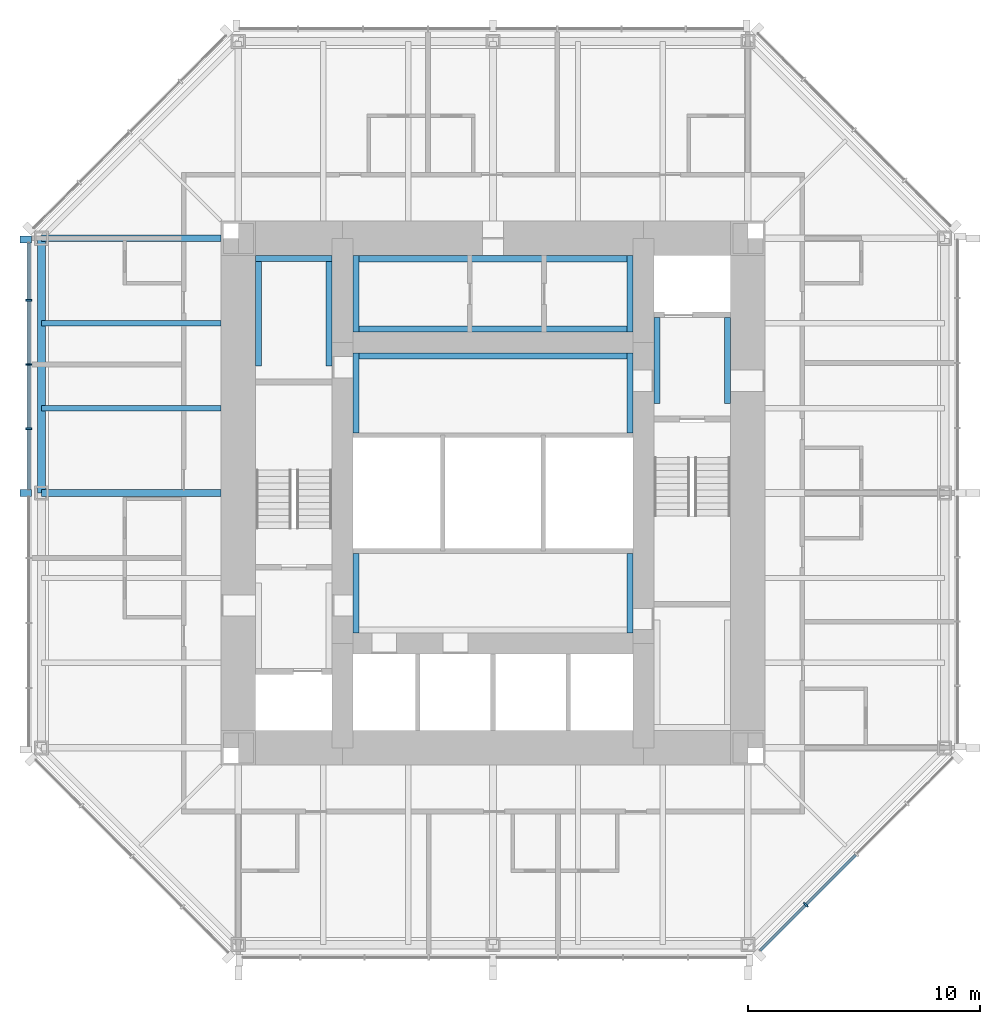
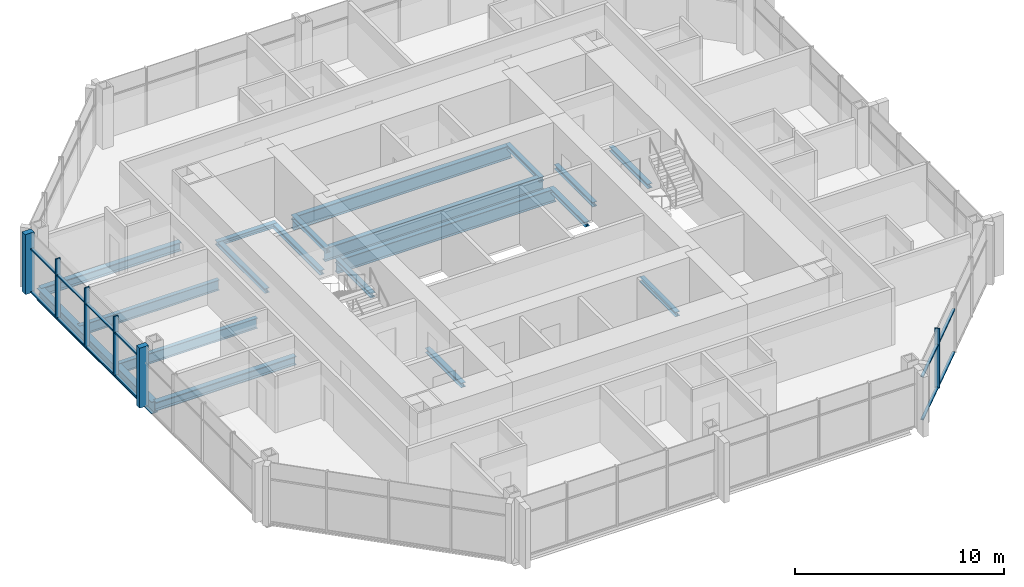
# One storey, part 3 of 11: 19 beams, 18 members, 2 elements without a shape of their own.
"""IFC4 building model written with IfcOpenShell, lengths in metres."""

from ifc_helpers import new_model, si_unit, direction, frame, origin, origin_2d, place, context, subcontext, project, spatial, rectangle, i_section, extrude, material, material_profile, profile_set, type_object, element, aggregate, save


model = new_model("IFC4")

# Units and contexts
model_context = context("Model", 3, precision=1e-05, world=origin(), true_north=direction((0.0, 1.0)))
body_context = subcontext(model_context, "Body", "Model", "MODEL_VIEW")
ifc_project = project(units=[si_unit("LENGTHUNIT", "METRE"), si_unit("AREAUNIT", "SQUARE_METRE"), si_unit("VOLUMEUNIT", "CUBIC_METRE"), si_unit("PLANEANGLEUNIT", "RADIAN"), si_unit("MASSUNIT", "GRAM", prefix="KILO")], contexts=[model_context])

# Site, building, storey
site_placement = place(None, origin())
site = spatial("IfcSite", under=ifc_project, at=site_placement, CompositionType="ELEMENT")
building_placement = place(site_placement, origin())
building = spatial("IfcBuilding", under=site, at=building_placement, Name="Trevanion Tower", CompositionType="ELEMENT")
storey_placement = place(building_placement, frame((0.0, 0.0, 211.699951171875)))
storey = spatial("IfcBuildingStorey", under=building, at=storey_placement, Name="L50", CompositionType="ELEMENT", Elevation=211.699951171875)

# Beams
ifc_material_1 = material(Name="Steel ASTM A992 Grade 50", Category="steel")
ifc_material_profile_1 = material_profile(ifc_material_1, i_section(OverallWidth=0.228271484375, OverallDepth=0.607177734375, WebThickness=0.01123046875, FlangeThickness=0.017333984375, at=origin_2d()), Name="W24X76")
ifc_profile_set_1 = profile_set([ifc_material_profile_1], Name="Steel ASTM A992 Grade 50")
beam_type_1 = type_object("IfcBeamType", Name="B11 W24X76", PredefinedType="BEAM", material=ifc_profile_set_1)
for number, where, z_axis, x_axis, name in (
    (1, (-11.75, 7.333251953125, -0.493408203125), (-1.0, 0.0, 0.0), (0.0, -1.0, 0.0), "B11 L50"),
    (2, (-11.75, 3.666748046875, -0.493408203125), (-1.0, 0.0, 0.0), (0.0, -1.0, 0.0), "B11 L50"),
):
    element("IfcBeam", number, at=place(storey_placement, frame(where, z_axis=z_axis, x_axis=x_axis)), inside=storey, type_object=beam_type_1, Name=name, PredefinedType="BEAM", context=body_context, shape_type="SweptSolid", body=[
        extrude(i_section(OverallWidth=0.228271484375, OverallDepth=0.607177734375, WebThickness=0.01123046875, FlangeThickness=0.017333984375, at=origin_2d()), origin(), (0.0, 0.0, 1.0), 7.75),
    ])

# Curtain wall, members
ifc_material_2 = material(Name="Aluminium and glass", Category="aluminium")
curtain_wall_type = type_object("IfcCurtainWallType", Name="CW3 curtain wall", PredefinedType="USERDEFINED", material=ifc_material_2)
curtain_wall_1_placement = place(storey_placement, origin())
curtain_wall_1 = element("IfcCurtainWall", 3, at=curtain_wall_1_placement, inside=storey, type_object=curtain_wall_type, Name="CW3 L50 4", ObjectType="UNITISED CURTAIN WALL", PredefinedType="USERDEFINED")
ifc_material_3 = material(Name="Aluminium extrusion, anodised bronze", Category="aluminium")
ifc_material_profile_2 = material_profile(ifc_material_3, rectangle(XDim=0.074951171875, YDim=0.25, at=origin_2d()), Name="CW3 mullion")
ifc_profile_set_2 = profile_set([ifc_material_profile_2], Name="Aluminium extrusion, anodised bronze")
member_type_1 = type_object("IfcMemberType", Name="CW3 mullion", PredefinedType="MULLION", material=ifc_profile_set_2)
member_1_placement = place(storey_placement, frame((-20.050048828125, 8.323486328125, -0.18994140625), z_axis=(0.0, 0.0, 1.0), x_axis=(0.0, -1.0, 0.0)))
member_1 = element("IfcMember", 4, at=member_1_placement, type_object=member_type_1, Name="CW3 mullion 2", PredefinedType="MULLION", context=body_context, shape_type="SweptSolid", body=[
    extrude(rectangle(XDim=0.074951171875, YDim=0.25, at=origin_2d()), origin(), (0.0, 0.0, 1.0), 3.5),
])
member_2_placement = place(storey_placement, frame((-20.050048828125, 5.548828125, -0.18994140625), z_axis=(0.0, 0.0, 1.0), x_axis=(0.0, -1.0, 0.0)))
member_2 = element("IfcMember", 5, at=member_2_placement, type_object=member_type_1, Name="CW3 mullion 3", PredefinedType="MULLION", context=body_context, shape_type="SweptSolid", body=[
    extrude(rectangle(XDim=0.074951171875, YDim=0.25, at=origin_2d()), origin(), (0.0, 0.0, 1.0), 3.5),
])
member_3_placement = place(storey_placement, frame((-20.050048828125, 2.7744140625, -0.18994140625), z_axis=(0.0, 0.0, 1.0), x_axis=(0.0, -1.0, 0.0)))
member_3 = element("IfcMember", 6, at=member_3_placement, type_object=member_type_1, Name="CW3 mullion 4", PredefinedType="MULLION", context=body_context, shape_type="SweptSolid", body=[
    extrude(rectangle(XDim=0.074951171875, YDim=0.25, at=origin_2d()), origin(), (0.0, 0.0, 1.0), 3.5),
])

# Curtain wall, member
curtain_wall_2_placement = place(storey_placement, origin())
curtain_wall_2 = element("IfcCurtainWall", 7, at=curtain_wall_2_placement, inside=storey, type_object=curtain_wall_type, Name="CW3 L50 7", ObjectType="UNITISED CURTAIN WALL", PredefinedType="USERDEFINED")
member_4_placement = place(storey_placement, frame((13.502197265625, -17.775390625, -0.18994140625), z_axis=(0.0, 0.0, 1.0), x_axis=(0.707106781187, 0.707106781187, 0.0)))
member_4 = element("IfcMember", 8, at=member_4_placement, type_object=member_type_1, Name="CW3 mullion 2", PredefinedType="MULLION", context=body_context, shape_type="SweptSolid", body=[
    extrude(rectangle(XDim=0.074951171875, YDim=0.25, at=origin_2d()), origin(), (0.0, 0.0, 1.0), 3.5),
])

# Member
ifc_material_4 = material(Name="Aluminium extrusion, anodised bronze", Category="aluminium")
ifc_material_profile_3 = material_profile(ifc_material_4, rectangle(XDim=0.300048828125, YDim=0.5, at=origin_2d()), Name="CW3 pier mullion")
ifc_profile_set_3 = profile_set([ifc_material_profile_3], Name="Aluminium extrusion, anodised bronze")
member_type_2 = type_object("IfcMemberType", Name="CW3 pier mullion", PredefinedType="MULLION", material=ifc_profile_set_3)
member_5_placement = place(storey_placement, frame((-20.175048828125, 10.94775390625, -0.18994140625), z_axis=(0.0, 0.0, 1.0), x_axis=(0.0, -1.0, 0.0)))
member_5 = element("IfcMember", 9, at=member_5_placement, type_object=member_type_2, Name="CW3 pier mullion 1", PredefinedType="MULLION", context=body_context, shape_type="SweptSolid", body=[
    extrude(rectangle(XDim=0.300048828125, YDim=0.5, at=origin_2d()), origin(), (0.0, 0.0, 1.0), 3.5),
])

member_6_placement = place(storey_placement, frame((-20.175048828125, 0.0, -0.18994140625), z_axis=(0.0, 0.0, 1.0), x_axis=(0.0, -1.0, 0.0)))
member_6 = element("IfcMember", 10, at=member_6_placement, type_object=member_type_2, Name="CW3 pier mullion 5", PredefinedType="MULLION", context=body_context, shape_type="SweptSolid", body=[
    extrude(rectangle(XDim=0.300048828125, YDim=0.5, at=origin_2d()), origin(), (0.0, 0.0, 1.0), 3.5),
])

ifc_material_5 = material(Name="Aluminium extrusion, anodised bronze", Category="aluminium")
ifc_material_profile_4 = material_profile(ifc_material_5, rectangle(XDim=0.14990234375, YDim=0.074951171875, at=origin_2d()), Name="CW3 transom")
ifc_profile_set_4 = profile_set([ifc_material_profile_4], Name="Aluminium extrusion, anodised bronze")
member_type_3 = type_object("IfcMemberType", Name="CW3 transom", PredefinedType="USERDEFINED", material=ifc_profile_set_4)
member_7_placement = place(storey_placement, frame((-20.050048828125, 10.7978515625, -0.15234375), z_axis=(0.0, -1.0, 0.0), x_axis=(1.0, 0.0, 0.0)))
member_7 = element("IfcMember", 11, at=member_7_placement, type_object=member_type_3, Name="CW3 transom 1.1", ObjectType="TRANSOM", PredefinedType="USERDEFINED", context=body_context, shape_type="SweptSolid", body=[
    extrude(rectangle(XDim=0.14990234375, YDim=0.074951171875, at=origin_2d()), origin(), (0.0, 0.0, 1.0), 2.43701171875),
])

member_8_placement = place(storey_placement, frame((-20.050048828125, 10.7978515625, 2.360107421875), z_axis=(0.0, -1.0, 0.0), x_axis=(1.0, 0.0, 0.0)))
member_8 = element("IfcMember", 12, at=member_8_placement, type_object=member_type_3, Name="CW3 transom 1.2", ObjectType="TRANSOM", PredefinedType="USERDEFINED", context=body_context, shape_type="SweptSolid", body=[
    extrude(rectangle(XDim=0.14990234375, YDim=0.074951171875, at=origin_2d()), origin(), (0.0, 0.0, 1.0), 2.43701171875),
])

member_9_placement = place(storey_placement, frame((-20.050048828125, 8.285888671875, -0.15234375), z_axis=(0.0, -1.0, 0.0), x_axis=(1.0, 0.0, 0.0)))
member_9 = element("IfcMember", 13, at=member_9_placement, type_object=member_type_3, Name="CW3 transom 2.1", ObjectType="TRANSOM", PredefinedType="USERDEFINED", context=body_context, shape_type="SweptSolid", body=[
    extrude(rectangle(XDim=0.14990234375, YDim=0.074951171875, at=origin_2d()), origin(), (0.0, 0.0, 1.0), 2.699462890625),
])

member_10_placement = place(storey_placement, frame((-20.050048828125, 8.285888671875, 2.360107421875), z_axis=(0.0, -1.0, 0.0), x_axis=(1.0, 0.0, 0.0)))
member_10 = element("IfcMember", 14, at=member_10_placement, type_object=member_type_3, Name="CW3 transom 2.2", ObjectType="TRANSOM", PredefinedType="USERDEFINED", context=body_context, shape_type="SweptSolid", body=[
    extrude(rectangle(XDim=0.14990234375, YDim=0.074951171875, at=origin_2d()), origin(), (0.0, 0.0, 1.0), 2.699462890625),
])

member_11_placement = place(storey_placement, frame((-20.050048828125, 5.511474609375, -0.15234375), z_axis=(0.0, -1.0, 0.0), x_axis=(1.0, 0.0, 0.0)))
member_11 = element("IfcMember", 15, at=member_11_placement, type_object=member_type_3, Name="CW3 transom 3.1", ObjectType="TRANSOM", PredefinedType="USERDEFINED", context=body_context, shape_type="SweptSolid", body=[
    extrude(rectangle(XDim=0.14990234375, YDim=0.074951171875, at=origin_2d()), origin(), (0.0, 0.0, 1.0), 2.699462890625),
])

member_12_placement = place(storey_placement, frame((-20.050048828125, 5.511474609375, 2.360107421875), z_axis=(0.0, -1.0, 0.0), x_axis=(1.0, 0.0, 0.0)))
member_12 = element("IfcMember", 16, at=member_12_placement, type_object=member_type_3, Name="CW3 transom 3.2", ObjectType="TRANSOM", PredefinedType="USERDEFINED", context=body_context, shape_type="SweptSolid", body=[
    extrude(rectangle(XDim=0.14990234375, YDim=0.074951171875, at=origin_2d()), origin(), (0.0, 0.0, 1.0), 2.699462890625),
])

member_13_placement = place(storey_placement, frame((-20.050048828125, 2.737060546875, -0.15234375), z_axis=(0.0, -1.0, 0.0), x_axis=(1.0, 0.0, 0.0)))
member_13 = element("IfcMember", 17, at=member_13_placement, type_object=member_type_3, Name="CW3 transom 4.1", ObjectType="TRANSOM", PredefinedType="USERDEFINED", context=body_context, shape_type="SweptSolid", body=[
    extrude(rectangle(XDim=0.14990234375, YDim=0.074951171875, at=origin_2d()), origin(), (0.0, 0.0, 1.0), 2.587158203125),
])

member_14_placement = place(storey_placement, frame((-20.050048828125, 2.737060546875, 2.360107421875), z_axis=(0.0, -1.0, 0.0), x_axis=(1.0, 0.0, 0.0)))
member_14 = element("IfcMember", 18, at=member_14_placement, type_object=member_type_3, Name="CW3 transom 4.2", ObjectType="TRANSOM", PredefinedType="USERDEFINED", context=body_context, shape_type="SweptSolid", body=[
    extrude(rectangle(XDim=0.14990234375, YDim=0.074951171875, at=origin_2d()), origin(), (0.0, 0.0, 1.0), 2.587158203125),
])

aggregate(curtain_wall_1, [member_5, member_1, member_2, member_3, member_6, member_7, member_8, member_9, member_10, member_11, member_12, member_13, member_14])

member_15_placement = place(storey_placement, frame((11.531982421875, -19.745849609375, -0.15234375), z_axis=(0.707106781187, 0.707106781187, 0.0), x_axis=(-0.707106781187, 0.707106781187, 0.0)))
member_15 = element("IfcMember", 19, at=member_15_placement, type_object=member_type_3, Name="CW3 transom 1.1", ObjectType="TRANSOM", PredefinedType="USERDEFINED", context=body_context, shape_type="SweptSolid", body=[
    extrude(rectangle(XDim=0.14990234375, YDim=0.074951171875, at=origin_2d()), origin(), (0.0, 0.0, 1.0), 2.7490234375),
])

member_16_placement = place(storey_placement, frame((11.531982421875, -19.745849609375, 2.360107421875), z_axis=(0.707106781187, 0.707106781187, 0.0), x_axis=(-0.707106781187, 0.707106781187, 0.0)))
member_16 = element("IfcMember", 20, at=member_16_placement, type_object=member_type_3, Name="CW3 transom 1.2", ObjectType="TRANSOM", PredefinedType="USERDEFINED", context=body_context, shape_type="SweptSolid", body=[
    extrude(rectangle(XDim=0.14990234375, YDim=0.074951171875, at=origin_2d()), origin(), (0.0, 0.0, 1.0), 2.7490234375),
])

member_17_placement = place(storey_placement, frame((13.52880859375, -17.7490234375, -0.15234375), z_axis=(0.707106781187, 0.707106781187, 0.0), x_axis=(-0.707106781187, 0.707106781187, 0.0)))
member_17 = element("IfcMember", 21, at=member_17_placement, type_object=member_type_3, Name="CW3 transom 2.1", ObjectType="TRANSOM", PredefinedType="USERDEFINED", context=body_context, shape_type="SweptSolid", body=[
    extrude(rectangle(XDim=0.14990234375, YDim=0.074951171875, at=origin_2d()), origin(), (0.0, 0.0, 1.0), 3.01171875),
])

member_18_placement = place(storey_placement, frame((13.52880859375, -17.7490234375, 2.360107421875), z_axis=(0.707106781187, 0.707106781187, 0.0), x_axis=(-0.707106781187, 0.707106781187, 0.0)))
member_18 = element("IfcMember", 22, at=member_18_placement, type_object=member_type_3, Name="CW3 transom 2.2", ObjectType="TRANSOM", PredefinedType="USERDEFINED", context=body_context, shape_type="SweptSolid", body=[
    extrude(rectangle(XDim=0.14990234375, YDim=0.074951171875, at=origin_2d()), origin(), (0.0, 0.0, 1.0), 3.01171875),
])

aggregate(curtain_wall_2, [member_4, member_15, member_16, member_17, member_18])

# Beams
ifc_material_6 = material(Name="Steel ASTM A992 Grade 50", Category="steel")
ifc_material_profile_5 = material_profile(ifc_material_6, i_section(OverallWidth=0.28955078125, OverallDepth=0.508056640625, WebThickness=0.022705078125, FlangeThickness=0.040283203125, at=origin_2d()), Name="W18X175")
ifc_profile_set_5 = profile_set([ifc_material_profile_5], Name="Steel ASTM A992 Grade 50")
beam_type_2 = type_object("IfcBeamType", Name="G6 W18X175", PredefinedType="BEAM", material=ifc_profile_set_5)
for number, where, z_axis, x_axis, name in (
    (23, (-11.75, 11.0, -0.44384765625), (-1.0, 0.0, 0.0), (0.0, -1.0, 0.0), "G6 L50"),
    (24, (-11.75, 0.0, -0.44384765625), (-1.0, 0.0, 0.0), (0.0, -1.0, 0.0), "G6 L50"),
):
    element("IfcBeam", number, at=place(storey_placement, frame(where, z_axis=z_axis, x_axis=x_axis)), inside=storey, type_object=beam_type_2, Name=name, PredefinedType="BEAM", context=body_context, shape_type="SweptSolid", body=[
        extrude(i_section(OverallWidth=0.28955078125, OverallDepth=0.508056640625, WebThickness=0.022705078125, FlangeThickness=0.040283203125, at=origin_2d()), origin(), (0.0, 0.0, 1.0), 7.75),
    ])
ifc_material_7 = material(Name="Steel ASTM A992 Grade 50", Category="steel")
ifc_material_profile_6 = material_profile(ifc_material_7, i_section(OverallWidth=0.256591796875, OverallDepth=0.26416015625, WebThickness=0.011962890625, FlangeThickness=0.01953125, at=origin_2d()), Name="W10X68")
ifc_profile_set_6 = profile_set([ifc_material_profile_6], Name="Steel ASTM A992 Grade 50")
beam_type_3 = type_object("IfcBeamType", Name="LB1 W10X68", PredefinedType="BEAM", material=ifc_profile_set_6)
for number, where, z_axis, x_axis, name in (
    (25, (-5.921630859375, 2.60009765625, -0.33203125), (0.0, 1.0, 0.0), (-1.0, 0.0, 0.0), "LB1 L50"),
    (26, (5.921630859375, 2.60009765625, -0.33203125), (0.0, 1.0, 0.0), (-1.0, 0.0, 0.0), "LB1 L50"),
    (27, (-5.921630859375, -6.050048828125, -0.33203125), (0.0, 1.0, 0.0), (-1.0, 0.0, 0.0), "LB1 L50"),
    (28, (5.921630859375, -6.050048828125, -0.33203125), (0.0, 1.0, 0.0), (-1.0, 0.0, 0.0), "LB1 L50"),
):
    element("IfcBeam", number, at=place(storey_placement, frame(where, z_axis=z_axis, x_axis=x_axis)), inside=storey, type_object=beam_type_3, Name=name, PredefinedType="BEAM", context=body_context, shape_type="SweptSolid", body=[
        extrude(i_section(OverallWidth=0.256591796875, OverallDepth=0.26416015625, WebThickness=0.011962890625, FlangeThickness=0.01953125, at=origin_2d()), origin(), (0.0, 0.0, 1.0), 3.449951171875),
    ])
for number, where, z_axis, x_axis, name in (
    (29, (7.078369140625, 3.875, -0.33203125), (0.0, 1.0, 0.0), (-1.0, 0.0, 0.0), "LB1 L50"),
    (30, (10.12158203125, 3.875, -0.33203125), (0.0, 1.0, 0.0), (-1.0, 0.0, 0.0), "LB1 L50"),
):
    element("IfcBeam", number, at=place(storey_placement, frame(where, z_axis=z_axis, x_axis=x_axis)), inside=storey, type_object=beam_type_3, Name=name, PredefinedType="BEAM", context=body_context, shape_type="SweptSolid", body=[
        extrude(i_section(OverallWidth=0.256591796875, OverallDepth=0.26416015625, WebThickness=0.011962890625, FlangeThickness=0.01953125, at=origin_2d()), origin(), (0.0, 0.0, 1.0), 3.699951171875),
    ])
for number, where, z_axis, x_axis, name in (
    (31, (-10.12158203125, 5.47509765625, -0.33203125), (0.0, 1.0, 0.0), (-1.0, 0.0, 0.0), "LB1 L50"),
    (32, (-7.078369140625, 5.47509765625, -0.33203125), (0.0, 1.0, 0.0), (-1.0, 0.0, 0.0), "LB1 L50"),
):
    element("IfcBeam", number, at=place(storey_placement, frame(where, z_axis=z_axis, x_axis=x_axis)), inside=storey, type_object=beam_type_3, Name=name, PredefinedType="BEAM", context=body_context, shape_type="SweptSolid", body=[
        extrude(i_section(OverallWidth=0.256591796875, OverallDepth=0.26416015625, WebThickness=0.011962890625, FlangeThickness=0.01953125, at=origin_2d()), origin(), (0.0, 0.0, 1.0), 4.77490234375),
    ])
for number, where, z_axis, x_axis, name in (
    (33, (-10.25, 10.12158203125, -0.33203125), (1.0, 0.0, 0.0), (0.0, 1.0, 0.0), "LB1 L50"),
    (34, (-5.921630859375, 6.949951171875, -0.33203125), (0.0, 1.0, 0.0), (-1.0, 0.0, 0.0), "LB1 L50"),
    (35, (5.921630859375, 6.949951171875, -0.33203125), (0.0, 1.0, 0.0), (-1.0, 0.0, 0.0), "LB1 L50"),
):
    element("IfcBeam", number, at=place(storey_placement, frame(where, z_axis=z_axis, x_axis=x_axis)), inside=storey, type_object=beam_type_3, Name=name, PredefinedType="BEAM", context=body_context, shape_type="SweptSolid", body=[
        extrude(i_section(OverallWidth=0.256591796875, OverallDepth=0.26416015625, WebThickness=0.011962890625, FlangeThickness=0.01953125, at=origin_2d()), origin(), (0.0, 0.0, 1.0), 3.300048828125),
    ])
ifc_material_8 = material(Name="Steel ASTM A992 Grade 50", Category="steel")
ifc_material_profile_7 = material_profile(ifc_material_8, i_section(OverallWidth=0.2666015625, OverallDepth=0.76953125, WebThickness=0.015625, FlangeThickness=0.025390625, at=origin_2d()), Name="W30X132")
ifc_profile_set_7 = profile_set([ifc_material_profile_7], Name="Steel ASTM A992 Grade 50")
beam_type_4 = type_object("IfcBeamType", Name="LB3 W30X132", PredefinedType="BEAM", material=ifc_profile_set_7)
for number, where, z_axis, x_axis, name in (
    (36, (-6.050048828125, 5.91650390625, -0.584716796875), (1.0, 0.0, 0.0), (0.0, 1.0, 0.0), "LB3 L50"),
    (37, (-6.050048828125, 7.08349609375, -0.584716796875), (1.0, 0.0, 0.0), (0.0, 1.0, 0.0), "LB3 L50"),
    (38, (-6.050048828125, 10.11669921875, -0.584716796875), (1.0, 0.0, 0.0), (0.0, 1.0, 0.0), "LB3 L50"),
):
    element("IfcBeam", number, at=place(storey_placement, frame(where, z_axis=z_axis, x_axis=x_axis)), inside=storey, type_object=beam_type_4, Name=name, PredefinedType="BEAM", context=body_context, shape_type="SweptSolid", body=[
        extrude(i_section(OverallWidth=0.2666015625, OverallDepth=0.76953125, WebThickness=0.015625, FlangeThickness=0.025390625, at=origin_2d()), origin(), (0.0, 0.0, 1.0), 12.10009765625),
    ])
ifc_material_9 = material(Name="Steel ASTM A992 Grade 50", Category="steel")
ifc_material_profile_8 = material_profile(ifc_material_9, i_section(OverallWidth=0.355712890625, OverallDepth=0.696044921875, WebThickness=0.015380859375, FlangeThickness=0.024658203125, at=origin_2d()), Name="W27X146")
ifc_profile_set_8 = profile_set([ifc_material_profile_8], Name="Steel ASTM A992 Grade 50")
beam_type_5 = type_object("IfcBeamType", Name="SB8 W27X146", PredefinedType="SPANDREL", material=ifc_profile_set_8)
beam_placement = place(storey_placement, frame((-19.5, 11.0, -0.537841796875), z_axis=(0.0, -1.0, 0.0), x_axis=(1.0, 0.0, 0.0)))
element("IfcBeam", 39, at=beam_placement, inside=storey, type_object=beam_type_5, Name="SB8 L50", PredefinedType="SPANDREL", context=body_context, shape_type="SweptSolid", body=[
    extrude(i_section(OverallWidth=0.355712890625, OverallDepth=0.696044921875, WebThickness=0.015380859375, FlangeThickness=0.024658203125, at=origin_2d()), origin(), (0.0, 0.0, 1.0), 11.0),
])

save(model, "model.ifc")
